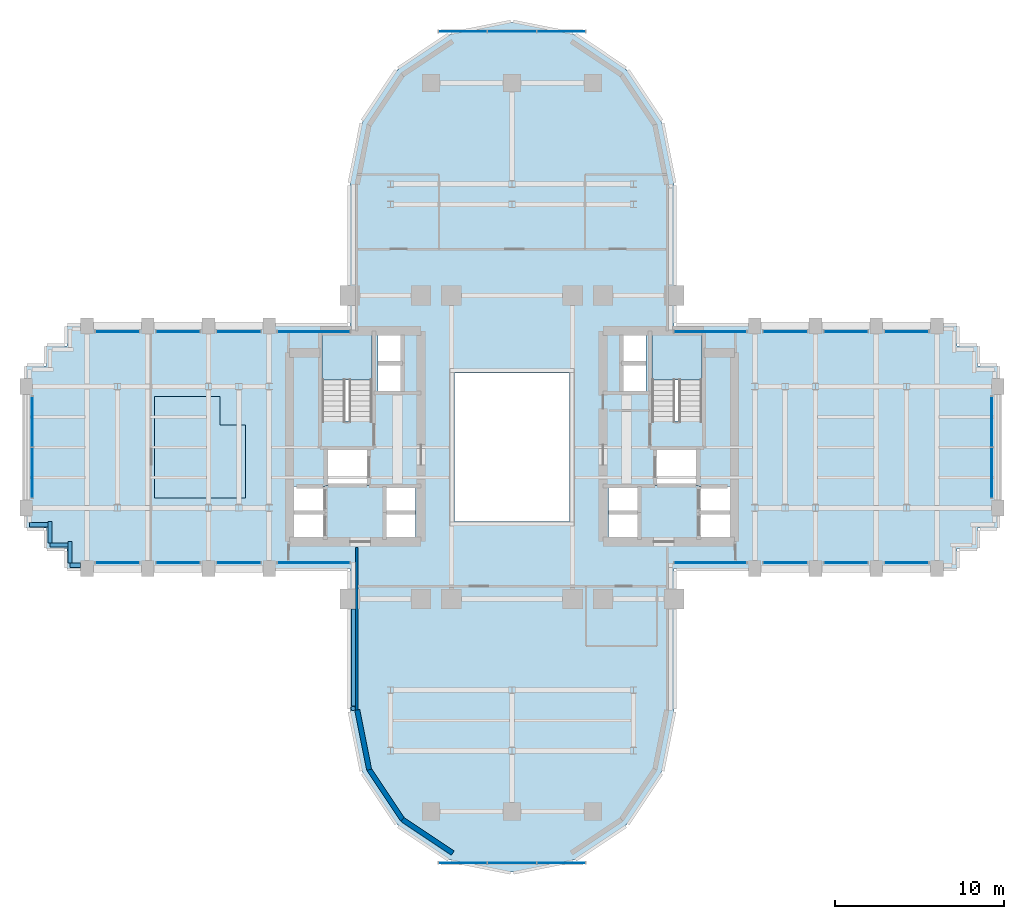
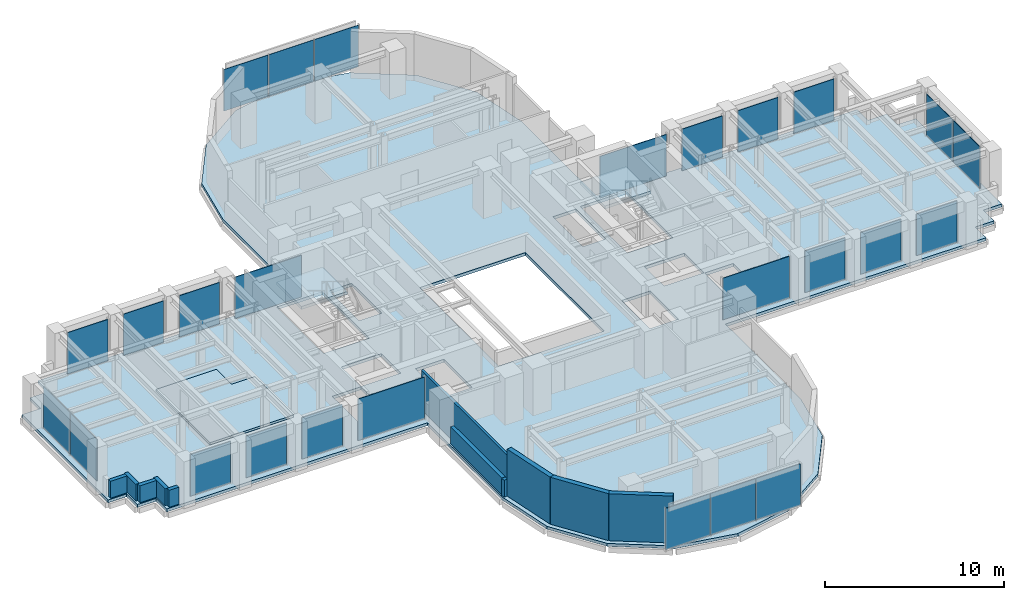
# One storey, part 9 of 16: 26 plates, 11 walls, 4 slabs, 22 elements without a shape of their own.
"""IFC4 building model written with IfcOpenShell, lengths in metres."""

from ifc_helpers import new_model, si_unit, direction, frame, frame_2d, origin, origin_2d, place, context, subcontext, project, spatial, polyline, rectangle, outline, extrude, source, transform, mapped, material, layer, layer_set, type_object, element, aggregate, save


model = new_model("IFC4")

# Units and contexts
model_context = context("Model", 3, precision=1e-05, world=origin(), true_north=direction((0.0, 1.0)))
body_context = subcontext(model_context, "Body", "Model", "MODEL_VIEW")
ifc_project = project(units=[si_unit("LENGTHUNIT", "METRE"), si_unit("AREAUNIT", "SQUARE_METRE"), si_unit("VOLUMEUNIT", "CUBIC_METRE"), si_unit("PLANEANGLEUNIT", "RADIAN"), si_unit("MASSUNIT", "GRAM", prefix="KILO")], contexts=[model_context])

# Site, building, storey
site_placement = place(None, origin())
site = spatial("IfcSite", under=ifc_project, at=site_placement, CompositionType="ELEMENT")
building_placement = place(site_placement, origin())
building = spatial("IfcBuilding", under=site, at=building_placement, Name="Keilestroom Media Tower", CompositionType="ELEMENT")
storey_placement = place(building_placement, frame((0.0, 0.0, 61.199951171875)))
storey = spatial("IfcBuildingStorey", under=building, at=storey_placement, Name="L15", CompositionType="ELEMENT", Elevation=61.199951171875)

# Slabs
ifc_material_1 = material(Name="Concrete C50/60", Category="concrete")
ifc_layer_1 = layer(ifc_material_1, 0.199951171875)
ifc_layer_set_1 = layer_set([ifc_layer_1], Name="Concrete C50/60")
slab_type_1 = type_object("IfcSlabType", Name="Composite-Floor-Slab-200", PredefinedType="FLOOR", material=ifc_layer_set_1)
slab_1_placement = place(storey_placement, frame((0.0, 0.0, -0.199951171875)))
element("IfcSlab", 1, at=slab_1_placement, inside=storey, type_object=slab_type_1, Name="L15 Structural Composite Floor Slab", PredefinedType="FLOOR", context=body_context, shape_type="SweptSolid", body=[
    extrude(outline(polyline([(28.800048828125, -4.800048828125), (28.800048828125, 4.800048828125), (27.60009765625, 4.800048828125), (27.60009765625, 6.0), (26.39990234375, 6.0), (26.39990234375, 7.199951171875), (9.60009765625, 7.199951171875), (9.60009765625, 9.60009765625), (9.60009765625, 15.60009765625), (8.869140625, 19.273681640625), (6.7880859375, 22.38818359375), (3.673828125, 24.46923828125), (0.0, 25.199951171875), (-3.673828125, 24.46923828125), (-6.7880859375, 22.38818359375), (-8.869140625, 19.273681640625), (-9.60009765625, 15.60009765625), (-9.60009765625, 9.60009765625), (-9.60009765625, 7.199951171875), (-26.39990234375, 7.199951171875), (-26.39990234375, 6.0), (-27.60009765625, 6.0), (-27.60009765625, 4.800048828125), (-28.800048828125, 4.800048828125), (-28.800048828125, -4.800048828125), (-27.60009765625, -4.800048828125), (-27.60009765625, -6.0), (-26.39990234375, -6.0), (-26.39990234375, -7.199951171875), (-9.60009765625, -7.199951171875), (-9.60009765625, -9.60009765625), (-9.60009765625, -15.60009765625), (-8.869140625, -19.273681640625), (-6.7880859375, -22.38818359375), (-3.673828125, -24.46923828125), (0.0, -25.199951171875), (3.673828125, -24.46923828125), (6.7880859375, -22.38818359375), (8.869140625, -19.273681640625), (9.60009765625, -15.60009765625), (9.60009765625, -9.60009765625), (9.60009765625, -7.199951171875), (26.39990234375, -7.199951171875), (26.39990234375, -6.0), (27.60009765625, -6.0), (27.60009765625, -4.800048828125), (28.800048828125, -4.800048828125)]), holes=[polyline([(-12.919921875, -5.47998046875), (-12.919921875, -2.320068359375), (-11.080078125, -2.320068359375), (-11.080078125, -5.47998046875), (-12.919921875, -5.47998046875)]), polyline([(-11.260009765625, 1.544921875), (-11.260009765625, 6.760009765625), (-8.300048828125, 6.760009765625), (-8.300048828125, 1.544921875), (-11.260009765625, 1.544921875)]), polyline([(-11.050048828125, -2.280029296875), (-11.050048828125, -0.10009765625), (-8.47998046875, -0.10009765625), (-8.47998046875, -2.280029296875), (-11.050048828125, -2.280029296875)]), polyline([(-7.949951171875, 3.300048828125), (-7.949951171875, 6.64990234375), (-6.47998046875, 6.64990234375), (-6.47998046875, 3.300048828125), (-7.949951171875, 3.300048828125)]), polyline([(-7.56005859375, -5.47998046875), (-7.56005859375, -2.320068359375), (-5.719970703125, -2.320068359375), (-5.719970703125, -5.47998046875), (-7.56005859375, -5.47998046875)]), polyline([(-3.39990234375, -4.39990234375), (-3.39990234375, 4.39990234375), (3.39990234375, 4.39990234375), (3.39990234375, -4.39990234375), (-3.39990234375, -4.39990234375)]), polyline([(5.719970703125, -5.47998046875), (5.719970703125, -2.320068359375), (7.56005859375, -2.320068359375), (7.56005859375, -5.47998046875), (5.719970703125, -5.47998046875)]), polyline([(7.949951171875, 6.64990234375), (7.949951171875, 3.300048828125), (6.47998046875, 3.300048828125), (6.47998046875, 6.64990234375), (7.949951171875, 6.64990234375)]), polyline([(8.300048828125, 6.760009765625), (11.260009765625, 6.760009765625), (11.260009765625, 1.544921875), (8.300048828125, 1.544921875), (8.300048828125, 6.760009765625)]), polyline([(8.47998046875, -2.280029296875), (8.47998046875, -0.10009765625), (11.050048828125, -0.10009765625), (11.050048828125, -2.280029296875), (8.47998046875, -2.280029296875)]), polyline([(12.919921875, -5.47998046875), (11.080078125, -5.47998046875), (11.080078125, -2.320068359375), (12.919921875, -2.320068359375), (12.919921875, -5.47998046875)])]), origin(), (0.0, 0.0, 1.0), 0.199951171875),
])
ifc_material_2 = material(Name="Concrete C45/55", Category="concrete")
ifc_layer_2 = layer(ifc_material_2, 0.14990234375)
ifc_layer_set_2 = layer_set([ifc_layer_2], Name="Concrete C45/55")
slab_type_2 = type_object("IfcSlabType", Name="Floating-Studio-Floor-Slab-150", PredefinedType="FLOOR", material=ifc_layer_set_2)
slab_2_placement = place(storey_placement, origin())
element("IfcSlab", 2, at=slab_2_placement, inside=storey, type_object=slab_type_2, Name="L15 Acoustic Floating Studio Slab ST-INV-Z1", PredefinedType="FLOOR", context=body_context, shape_type="SweptSolid", body=[
    extrude(outline(polyline([(-21.199951171875, -3.0), (-15.800048828125, -3.0), (-15.800048828125, 1.320068359375), (-17.31201171875, 1.320068359375), (-17.31201171875, 3.0), (-21.199951171875, 3.0), (-21.199951171875, -3.0)])), origin(), (0.0, 0.0, 1.0), 0.150146484375),
])

# Stair, slab
stair_type = type_object("IfcStairType", Name="Enclosed-Dog-Leg-Stair-ST-CORE", PredefinedType="HALF_TURN_STAIR", material=ifc_material_2)
stair_1_placement = place(storey_placement, origin())
stair_1 = element("IfcStair", 3, at=stair_1_placement, inside=storey, type_object=stair_type, Name="L15 West Core Escape Stair ST-1", PredefinedType="HALF_TURN_STAIR")
ifc_layer_3 = layer(ifc_material_2, 0.199951171875)
ifc_layer_set_3 = layer_set([ifc_layer_3], Name="Concrete C45/55")
slab_type_3 = type_object("IfcSlabType", Name="Stair-Intermediate-And-Top-Landing-Slab-200", PredefinedType="LANDING", material=ifc_layer_set_3)
slab_3_placement = place(storey_placement, frame((0.0, 0.0, 1.5)))
slab_3 = element("IfcSlab", 4, at=slab_3_placement, type_object=slab_type_3, Name="ST-1 landing 1", PredefinedType="LANDING", context=body_context, shape_type="SweptSolid", body=[
    extrude(outline(polyline([(-8.300048828125, 3.99609375), (-8.300048828125, 6.760009765625), (-11.260009765625, 6.760009765625), (-11.260009765625, 3.99609375), (-8.300048828125, 3.99609375)])), origin(), (0.0, 0.0, 1.0), 0.199951171875),
])
aggregate(stair_1, [slab_3])

stair_2_placement = place(storey_placement, origin())
stair_2 = element("IfcStair", 5, at=stair_2_placement, inside=storey, type_object=stair_type, Name="L15 East Core Escape Stair ST-2", PredefinedType="HALF_TURN_STAIR")
slab_4_placement = place(storey_placement, frame((0.0, 0.0, 1.5)))
slab_4 = element("IfcSlab", 6, at=slab_4_placement, type_object=slab_type_3, Name="ST-2 landing 1", PredefinedType="LANDING", context=body_context, shape_type="SweptSolid", body=[
    extrude(outline(polyline([(11.260009765625, 3.99609375), (11.260009765625, 6.760009765625), (8.300048828125, 6.760009765625), (8.300048828125, 3.99609375), (11.260009765625, 3.99609375)])), origin(), (0.0, 0.0, 1.0), 0.199951171875),
])
aggregate(stair_2, [slab_4])

# Curtain wall, plates
ifc_material_3 = material(Name="Anodised Aluminium Alloy", Category="aluminium")
curtain_wall_type_1 = type_object("IfcCurtainWallType", Name="Unitised-Curtain-Wall-CW-1", PredefinedType="NOTDEFINED", material=ifc_material_3)
curtain_wall_1_placement = place(storey_placement, origin())
curtain_wall_1 = element("IfcCurtainWall", 7, at=curtain_wall_1_placement, inside=storey, type_object=curtain_wall_type_1, Name="L15 Curtain Wall CW-1 CW-L15-W-1", PredefinedType="NOTDEFINED")
ifc_material_4 = material(Name="Double Glazed Low-E Unit", Category="glass")
ifc_layer_4 = layer(ifc_material_4, 0.0439453125)
ifc_layer_set_4 = layer_set([ifc_layer_4], Name="Double Glazed Low-E Unit")
plate_type_1 = type_object("IfcPlateType", Name="Insulated-Curtain-Wall-Glazing-Panel-CW-1", PredefinedType="CURTAIN_PANEL", material=ifc_layer_set_4)
shared_shape_1 = source(origin(), body_context, "Body", "SweptSolid", [
    extrude(rectangle(XDim=2.968017578125, YDim=0.0439453125, at=origin_2d()), origin(), (0.0, 0.0, 1.0), 2.833984375),
])
plate_1_placement = place(storey_placement, frame((-28.449951171875, -1.514892578125, 0.072998046875), z_axis=(0.0, 0.0, 1.0), x_axis=(0.0, 1.0, 0.0)))
plate_1 = element("IfcPlate", 8, at=plate_1_placement, type_object=plate_type_1, Name="CW-1 Unitised Glazing 00", PredefinedType="CURTAIN_PANEL", context=body_context, shape_type="MappedRepresentation", body=[
    mapped(shared_shape_1, transform((0.0, 0.0, 0.0), x_axis=(1.0, 0.0, 0.0), y_axis=(0.0, 1.0, 0.0), z_axis=(0.0, 0.0, 1.0), scale=1.0)),
])
plate_2_placement = place(storey_placement, frame((-28.449951171875, 1.514892578125, 0.072998046875), z_axis=(0.0, 0.0, 1.0), x_axis=(0.0, 1.0, 0.0)))
plate_2 = element("IfcPlate", 9, at=plate_2_placement, type_object=plate_type_1, Name="CW-1 Unitised Glazing 01", PredefinedType="CURTAIN_PANEL", context=body_context, shape_type="MappedRepresentation", body=[
    mapped(shared_shape_1, transform((0.0, 0.0, 0.0), x_axis=(1.0, 0.0, 0.0), y_axis=(0.0, 1.0, 0.0), z_axis=(0.0, 0.0, 1.0), scale=1.0)),
])
aggregate(curtain_wall_1, [plate_1, plate_2])

curtain_wall_2_placement = place(storey_placement, origin())
curtain_wall_2 = element("IfcCurtainWall", 10, at=curtain_wall_2_placement, inside=storey, type_object=curtain_wall_type_1, Name="L15 Curtain Wall CW-1 CW-L15-E-1", PredefinedType="NOTDEFINED")
plate_3_placement = place(storey_placement, frame((28.449951171875, -1.514892578125, 0.072998046875), z_axis=(0.0, 0.0, 1.0), x_axis=(0.0, 1.0, 0.0)))
plate_3 = element("IfcPlate", 11, at=plate_3_placement, type_object=plate_type_1, Name="CW-1 Unitised Glazing 00", PredefinedType="CURTAIN_PANEL", context=body_context, shape_type="MappedRepresentation", body=[
    mapped(shared_shape_1, transform((0.0, 0.0, 0.0), x_axis=(1.0, 0.0, 0.0), y_axis=(0.0, 1.0, 0.0), z_axis=(0.0, 0.0, 1.0), scale=1.0)),
])
plate_4_placement = place(storey_placement, frame((28.449951171875, 1.514892578125, 0.072998046875), z_axis=(0.0, 0.0, 1.0), x_axis=(0.0, 1.0, 0.0)))
plate_4 = element("IfcPlate", 12, at=plate_4_placement, type_object=plate_type_1, Name="CW-1 Unitised Glazing 01", PredefinedType="CURTAIN_PANEL", context=body_context, shape_type="MappedRepresentation", body=[
    mapped(shared_shape_1, transform((0.0, 0.0, 0.0), x_axis=(1.0, 0.0, 0.0), y_axis=(0.0, 1.0, 0.0), z_axis=(0.0, 0.0, 1.0), scale=1.0)),
])
aggregate(curtain_wall_2, [plate_3, plate_4])

# Curtain wall, plate
curtain_wall_3_placement = place(storey_placement, origin())
curtain_wall_3 = element("IfcCurtainWall", 13, at=curtain_wall_3_placement, inside=storey, type_object=curtain_wall_type_1, Name="L15 Curtain Wall CW-1 CW-L15-NW-1", PredefinedType="NOTDEFINED")
shared_shape_2 = source(origin(), body_context, "Body", "SweptSolid", [
    extrude(rectangle(XDim=2.597900390625, YDim=0.0439453125, at=origin_2d()), origin(), (0.0, 0.0, 1.0), 2.833984375),
])
plate_5_placement = place(storey_placement, frame((-23.39990234375, 6.85009765625, 0.072998046875), z_axis=(0.0, 0.0, 1.0), x_axis=(1.0, 0.0, 0.0)))
plate_5 = element("IfcPlate", 14, at=plate_5_placement, type_object=plate_type_1, Name="CW-1 Unitised Glazing 00", PredefinedType="CURTAIN_PANEL", context=body_context, shape_type="MappedRepresentation", body=[
    mapped(shared_shape_2, transform((0.0, 0.0, 0.0), x_axis=(1.0, 0.0, 0.0), y_axis=(0.0, 1.0, 0.0), z_axis=(0.0, 0.0, 1.0), scale=1.0)),
])
aggregate(curtain_wall_3, [plate_5])

curtain_wall_4_placement = place(storey_placement, origin())
curtain_wall_4 = element("IfcCurtainWall", 15, at=curtain_wall_4_placement, inside=storey, type_object=curtain_wall_type_1, Name="L15 Curtain Wall CW-1 CW-L15-NW-2", PredefinedType="NOTDEFINED")
plate_6_placement = place(storey_placement, frame((-19.800048828125, 6.85009765625, 0.072998046875), z_axis=(0.0, 0.0, 1.0), x_axis=(1.0, 0.0, 0.0)))
plate_6 = element("IfcPlate", 16, at=plate_6_placement, type_object=plate_type_1, Name="CW-1 Unitised Glazing 00", PredefinedType="CURTAIN_PANEL", context=body_context, shape_type="MappedRepresentation", body=[
    mapped(shared_shape_2, transform((0.0, 0.0, 0.0), x_axis=(1.0, 0.0, 0.0), y_axis=(0.0, 1.0, 0.0), z_axis=(0.0, 0.0, 1.0), scale=1.0)),
])
aggregate(curtain_wall_4, [plate_6])

curtain_wall_5_placement = place(storey_placement, origin())
curtain_wall_5 = element("IfcCurtainWall", 17, at=curtain_wall_5_placement, inside=storey, type_object=curtain_wall_type_1, Name="L15 Curtain Wall CW-1 CW-L15-NW-3", PredefinedType="NOTDEFINED")
plate_7_placement = place(storey_placement, frame((-16.199951171875, 6.85009765625, 0.072998046875), z_axis=(0.0, 0.0, 1.0), x_axis=(1.0, 0.0, 0.0)))
plate_7 = element("IfcPlate", 18, at=plate_7_placement, type_object=plate_type_1, Name="CW-1 Unitised Glazing 00", PredefinedType="CURTAIN_PANEL", context=body_context, shape_type="MappedRepresentation", body=[
    mapped(shared_shape_2, transform((0.0, 0.0, 0.0), x_axis=(1.0, 0.0, 0.0), y_axis=(0.0, 1.0, 0.0), z_axis=(0.0, 0.0, 1.0), scale=1.0)),
])
aggregate(curtain_wall_5, [plate_7])

curtain_wall_6_placement = place(storey_placement, origin())
curtain_wall_6 = element("IfcCurtainWall", 19, at=curtain_wall_6_placement, inside=storey, type_object=curtain_wall_type_1, Name="L15 Curtain Wall CW-1 CW-L15-NE-2", PredefinedType="NOTDEFINED")
plate_8_placement = place(storey_placement, frame((16.199951171875, 6.85009765625, 0.072998046875), z_axis=(0.0, 0.0, 1.0), x_axis=(1.0, 0.0, 0.0)))
plate_8 = element("IfcPlate", 20, at=plate_8_placement, type_object=plate_type_1, Name="CW-1 Unitised Glazing 00", PredefinedType="CURTAIN_PANEL", context=body_context, shape_type="MappedRepresentation", body=[
    mapped(shared_shape_2, transform((0.0, 0.0, 0.0), x_axis=(1.0, 0.0, 0.0), y_axis=(0.0, 1.0, 0.0), z_axis=(0.0, 0.0, 1.0), scale=1.0)),
])
aggregate(curtain_wall_6, [plate_8])

curtain_wall_7_placement = place(storey_placement, origin())
curtain_wall_7 = element("IfcCurtainWall", 21, at=curtain_wall_7_placement, inside=storey, type_object=curtain_wall_type_1, Name="L15 Curtain Wall CW-1 CW-L15-NE-3", PredefinedType="NOTDEFINED")
plate_9_placement = place(storey_placement, frame((19.800048828125, 6.85009765625, 0.072998046875), z_axis=(0.0, 0.0, 1.0), x_axis=(1.0, 0.0, 0.0)))
plate_9 = element("IfcPlate", 22, at=plate_9_placement, type_object=plate_type_1, Name="CW-1 Unitised Glazing 00", PredefinedType="CURTAIN_PANEL", context=body_context, shape_type="MappedRepresentation", body=[
    mapped(shared_shape_2, transform((0.0, 0.0, 0.0), x_axis=(1.0, 0.0, 0.0), y_axis=(0.0, 1.0, 0.0), z_axis=(0.0, 0.0, 1.0), scale=1.0)),
])
aggregate(curtain_wall_7, [plate_9])

curtain_wall_8_placement = place(storey_placement, origin())
curtain_wall_8 = element("IfcCurtainWall", 23, at=curtain_wall_8_placement, inside=storey, type_object=curtain_wall_type_1, Name="L15 Curtain Wall CW-1 CW-L15-NE-4", PredefinedType="NOTDEFINED")
plate_10_placement = place(storey_placement, frame((23.39990234375, 6.85009765625, 0.072998046875), z_axis=(0.0, 0.0, 1.0), x_axis=(1.0, 0.0, 0.0)))
plate_10 = element("IfcPlate", 24, at=plate_10_placement, type_object=plate_type_1, Name="CW-1 Unitised Glazing 00", PredefinedType="CURTAIN_PANEL", context=body_context, shape_type="MappedRepresentation", body=[
    mapped(shared_shape_2, transform((0.0, 0.0, 0.0), x_axis=(1.0, 0.0, 0.0), y_axis=(0.0, 1.0, 0.0), z_axis=(0.0, 0.0, 1.0), scale=1.0)),
])
aggregate(curtain_wall_8, [plate_10])

curtain_wall_9_placement = place(storey_placement, origin())
curtain_wall_9 = element("IfcCurtainWall", 25, at=curtain_wall_9_placement, inside=storey, type_object=curtain_wall_type_1, Name="L15 Curtain Wall CW-1 CW-L15-SW-1", PredefinedType="NOTDEFINED")
plate_11_placement = place(storey_placement, frame((-23.39990234375, -6.85009765625, 0.072998046875), z_axis=(0.0, 0.0, 1.0), x_axis=(1.0, 0.0, 0.0)))
plate_11 = element("IfcPlate", 26, at=plate_11_placement, type_object=plate_type_1, Name="CW-1 Unitised Glazing 00", PredefinedType="CURTAIN_PANEL", context=body_context, shape_type="MappedRepresentation", body=[
    mapped(shared_shape_2, transform((0.0, 0.0, 0.0), x_axis=(1.0, 0.0, 0.0), y_axis=(0.0, 1.0, 0.0), z_axis=(0.0, 0.0, 1.0), scale=1.0)),
])
aggregate(curtain_wall_9, [plate_11])

curtain_wall_10_placement = place(storey_placement, origin())
curtain_wall_10 = element("IfcCurtainWall", 27, at=curtain_wall_10_placement, inside=storey, type_object=curtain_wall_type_1, Name="L15 Curtain Wall CW-1 CW-L15-SW-2", PredefinedType="NOTDEFINED")
plate_12_placement = place(storey_placement, frame((-19.800048828125, -6.85009765625, 0.072998046875), z_axis=(0.0, 0.0, 1.0), x_axis=(1.0, 0.0, 0.0)))
plate_12 = element("IfcPlate", 28, at=plate_12_placement, type_object=plate_type_1, Name="CW-1 Unitised Glazing 00", PredefinedType="CURTAIN_PANEL", context=body_context, shape_type="MappedRepresentation", body=[
    mapped(shared_shape_2, transform((0.0, 0.0, 0.0), x_axis=(1.0, 0.0, 0.0), y_axis=(0.0, 1.0, 0.0), z_axis=(0.0, 0.0, 1.0), scale=1.0)),
])
aggregate(curtain_wall_10, [plate_12])

curtain_wall_11_placement = place(storey_placement, origin())
curtain_wall_11 = element("IfcCurtainWall", 29, at=curtain_wall_11_placement, inside=storey, type_object=curtain_wall_type_1, Name="L15 Curtain Wall CW-1 CW-L15-SW-3", PredefinedType="NOTDEFINED")
plate_13_placement = place(storey_placement, frame((-16.199951171875, -6.85009765625, 0.072998046875), z_axis=(0.0, 0.0, 1.0), x_axis=(1.0, 0.0, 0.0)))
plate_13 = element("IfcPlate", 30, at=plate_13_placement, type_object=plate_type_1, Name="CW-1 Unitised Glazing 00", PredefinedType="CURTAIN_PANEL", context=body_context, shape_type="MappedRepresentation", body=[
    mapped(shared_shape_2, transform((0.0, 0.0, 0.0), x_axis=(1.0, 0.0, 0.0), y_axis=(0.0, 1.0, 0.0), z_axis=(0.0, 0.0, 1.0), scale=1.0)),
])
aggregate(curtain_wall_11, [plate_13])

curtain_wall_12_placement = place(storey_placement, origin())
curtain_wall_12 = element("IfcCurtainWall", 31, at=curtain_wall_12_placement, inside=storey, type_object=curtain_wall_type_1, Name="L15 Curtain Wall CW-1 CW-L15-SE-2", PredefinedType="NOTDEFINED")
plate_14_placement = place(storey_placement, frame((16.199951171875, -6.85009765625, 0.072998046875), z_axis=(0.0, 0.0, 1.0), x_axis=(1.0, 0.0, 0.0)))
plate_14 = element("IfcPlate", 32, at=plate_14_placement, type_object=plate_type_1, Name="CW-1 Unitised Glazing 00", PredefinedType="CURTAIN_PANEL", context=body_context, shape_type="MappedRepresentation", body=[
    mapped(shared_shape_2, transform((0.0, 0.0, 0.0), x_axis=(1.0, 0.0, 0.0), y_axis=(0.0, 1.0, 0.0), z_axis=(0.0, 0.0, 1.0), scale=1.0)),
])
aggregate(curtain_wall_12, [plate_14])

curtain_wall_13_placement = place(storey_placement, origin())
curtain_wall_13 = element("IfcCurtainWall", 33, at=curtain_wall_13_placement, inside=storey, type_object=curtain_wall_type_1, Name="L15 Curtain Wall CW-1 CW-L15-SE-3", PredefinedType="NOTDEFINED")
plate_15_placement = place(storey_placement, frame((19.800048828125, -6.85009765625, 0.072998046875), z_axis=(0.0, 0.0, 1.0), x_axis=(1.0, 0.0, 0.0)))
plate_15 = element("IfcPlate", 34, at=plate_15_placement, type_object=plate_type_1, Name="CW-1 Unitised Glazing 00", PredefinedType="CURTAIN_PANEL", context=body_context, shape_type="MappedRepresentation", body=[
    mapped(shared_shape_2, transform((0.0, 0.0, 0.0), x_axis=(1.0, 0.0, 0.0), y_axis=(0.0, 1.0, 0.0), z_axis=(0.0, 0.0, 1.0), scale=1.0)),
])
aggregate(curtain_wall_13, [plate_15])

curtain_wall_14_placement = place(storey_placement, origin())
curtain_wall_14 = element("IfcCurtainWall", 35, at=curtain_wall_14_placement, inside=storey, type_object=curtain_wall_type_1, Name="L15 Curtain Wall CW-1 CW-L15-SE-4", PredefinedType="NOTDEFINED")
plate_16_placement = place(storey_placement, frame((23.39990234375, -6.85009765625, 0.072998046875), z_axis=(0.0, 0.0, 1.0), x_axis=(1.0, 0.0, 0.0)))
plate_16 = element("IfcPlate", 36, at=plate_16_placement, type_object=plate_type_1, Name="CW-1 Unitised Glazing 00", PredefinedType="CURTAIN_PANEL", context=body_context, shape_type="MappedRepresentation", body=[
    mapped(shared_shape_2, transform((0.0, 0.0, 0.0), x_axis=(1.0, 0.0, 0.0), y_axis=(0.0, 1.0, 0.0), z_axis=(0.0, 0.0, 1.0), scale=1.0)),
])
aggregate(curtain_wall_14, [plate_16])

curtain_wall_15_placement = place(storey_placement, origin())
curtain_wall_15 = element("IfcCurtainWall", 37, at=curtain_wall_15_placement, inside=storey, type_object=curtain_wall_type_1, Name="L15 Curtain Wall CW-1 CW-L15-NW-4", PredefinedType="NOTDEFINED")
shared_shape_3 = source(origin(), body_context, "Body", "SweptSolid", [
    extrude(rectangle(XDim=4.282958984375, YDim=0.0439453125, at=origin_2d()), origin(), (0.0, 0.0, 1.0), 2.833984375),
])
plate_17_placement = place(storey_placement, frame((-11.757568359375, 6.85009765625, 0.072998046875), z_axis=(0.0, 0.0, 1.0), x_axis=(1.0, 0.0, 0.0)))
plate_17 = element("IfcPlate", 38, at=plate_17_placement, type_object=plate_type_1, Name="CW-1 Unitised Glazing 00", PredefinedType="CURTAIN_PANEL", context=body_context, shape_type="MappedRepresentation", body=[
    mapped(shared_shape_3, transform((0.0, 0.0, 0.0), x_axis=(1.0, 0.0, 0.0), y_axis=(0.0, 1.0, 0.0), z_axis=(0.0, 0.0, 1.0), scale=1.0)),
])
aggregate(curtain_wall_15, [plate_17])

curtain_wall_16_placement = place(storey_placement, origin())
curtain_wall_16 = element("IfcCurtainWall", 39, at=curtain_wall_16_placement, inside=storey, type_object=curtain_wall_type_1, Name="L15 Curtain Wall CW-1 CW-L15-NE-1", PredefinedType="NOTDEFINED")
plate_18_placement = place(storey_placement, frame((11.757568359375, 6.85009765625, 0.072998046875), z_axis=(0.0, 0.0, 1.0), x_axis=(1.0, 0.0, 0.0)))
plate_18 = element("IfcPlate", 40, at=plate_18_placement, type_object=plate_type_1, Name="CW-1 Unitised Glazing 00", PredefinedType="CURTAIN_PANEL", context=body_context, shape_type="MappedRepresentation", body=[
    mapped(shared_shape_3, transform((0.0, 0.0, 0.0), x_axis=(1.0, 0.0, 0.0), y_axis=(0.0, 1.0, 0.0), z_axis=(0.0, 0.0, 1.0), scale=1.0)),
])
aggregate(curtain_wall_16, [plate_18])

curtain_wall_17_placement = place(storey_placement, origin())
curtain_wall_17 = element("IfcCurtainWall", 41, at=curtain_wall_17_placement, inside=storey, type_object=curtain_wall_type_1, Name="L15 Curtain Wall CW-1 CW-L15-SW-4", PredefinedType="NOTDEFINED")
plate_19_placement = place(storey_placement, frame((-11.757568359375, -6.85009765625, 0.072998046875), z_axis=(0.0, 0.0, 1.0), x_axis=(1.0, 0.0, 0.0)))
plate_19 = element("IfcPlate", 42, at=plate_19_placement, type_object=plate_type_1, Name="CW-1 Unitised Glazing 00", PredefinedType="CURTAIN_PANEL", context=body_context, shape_type="MappedRepresentation", body=[
    mapped(shared_shape_3, transform((0.0, 0.0, 0.0), x_axis=(1.0, 0.0, 0.0), y_axis=(0.0, 1.0, 0.0), z_axis=(0.0, 0.0, 1.0), scale=1.0)),
])
aggregate(curtain_wall_17, [plate_19])

curtain_wall_18_placement = place(storey_placement, origin())
curtain_wall_18 = element("IfcCurtainWall", 43, at=curtain_wall_18_placement, inside=storey, type_object=curtain_wall_type_1, Name="L15 Curtain Wall CW-1 CW-L15-SE-1", PredefinedType="NOTDEFINED")
plate_20_placement = place(storey_placement, frame((11.757568359375, -6.85009765625, 0.072998046875), z_axis=(0.0, 0.0, 1.0), x_axis=(1.0, 0.0, 0.0)))
plate_20 = element("IfcPlate", 44, at=plate_20_placement, type_object=plate_type_1, Name="CW-1 Unitised Glazing 00", PredefinedType="CURTAIN_PANEL", context=body_context, shape_type="MappedRepresentation", body=[
    mapped(shared_shape_3, transform((0.0, 0.0, 0.0), x_axis=(1.0, 0.0, 0.0), y_axis=(0.0, 1.0, 0.0), z_axis=(0.0, 0.0, 1.0), scale=1.0)),
])
aggregate(curtain_wall_18, [plate_20])

# Curtain wall, plates
curtain_wall_type_2 = type_object("IfcCurtainWallType", Name="Unitised-Curtain-Wall-CW-6", PredefinedType="NOTDEFINED", material=ifc_material_3)
curtain_wall_19_placement = place(storey_placement, origin())
curtain_wall_19 = element("IfcCurtainWall", 45, at=curtain_wall_19_placement, inside=storey, type_object=curtain_wall_type_2, Name="L15 Curtain Wall CW-6 CW-L15-LN-1", PredefinedType="NOTDEFINED")
ifc_material_5 = material(Name="Curved-Facet Triple Glazed Unit", Category="glass")
ifc_layer_5 = layer(ifc_material_5, 0.033935546875)
ifc_layer_set_5 = layer_set([ifc_layer_5], Name="Curved-Facet Triple Glazed Unit")
plate_type_2 = type_object("IfcPlateType", Name="Insulated-Curtain-Wall-Glazing-Panel-CW-6", PredefinedType="CURTAIN_PANEL", material=ifc_layer_set_5)
shared_shape_4 = source(origin(), body_context, "Body", "SweptSolid", [
    extrude(rectangle(XDim=2.84375, YDim=0.033935546875, at=origin_2d()), origin(), (0.0, 0.0, 1.0), 2.833984375),
])
plate_21_placement = place(storey_placement, frame((-2.9169921875, 24.64990234375, 0.072998046875), z_axis=(0.0, 0.0, 1.0), x_axis=(1.0, 0.0, 0.0)))
plate_21 = element("IfcPlate", 46, at=plate_21_placement, type_object=plate_type_2, Name="CW-6 Unitised Glazing 00", PredefinedType="CURTAIN_PANEL", context=body_context, shape_type="MappedRepresentation", body=[
    mapped(shared_shape_4, transform((0.0, 0.0, 0.0), x_axis=(1.0, 0.0, 0.0), y_axis=(0.0, 1.0, 0.0), z_axis=(0.0, 0.0, 1.0), scale=1.0)),
])
plate_22_placement = place(storey_placement, frame((2.9169921875, 24.64990234375, 0.072998046875), z_axis=(0.0, 0.0, 1.0), x_axis=(1.0, 0.0, 0.0)))
plate_22 = element("IfcPlate", 47, at=plate_22_placement, type_object=plate_type_2, Name="CW-6 Unitised Glazing 02", PredefinedType="CURTAIN_PANEL", context=body_context, shape_type="MappedRepresentation", body=[
    mapped(shared_shape_4, transform((0.0, 0.0, 0.0), x_axis=(1.0, 0.0, 0.0), y_axis=(0.0, 1.0, 0.0), z_axis=(0.0, 0.0, 1.0), scale=1.0)),
])

curtain_wall_20_placement = place(storey_placement, origin())
curtain_wall_20 = element("IfcCurtainWall", 48, at=curtain_wall_20_placement, inside=storey, type_object=curtain_wall_type_2, Name="L15 Curtain Wall CW-6 CW-L15-LS-1", PredefinedType="NOTDEFINED")
plate_23_placement = place(storey_placement, frame((-2.9169921875, -24.64990234375, 0.072998046875), z_axis=(0.0, 0.0, 1.0), x_axis=(1.0, 0.0, 0.0)))
plate_23 = element("IfcPlate", 49, at=plate_23_placement, type_object=plate_type_2, Name="CW-6 Unitised Glazing 00", PredefinedType="CURTAIN_PANEL", context=body_context, shape_type="MappedRepresentation", body=[
    mapped(shared_shape_4, transform((0.0, 0.0, 0.0), x_axis=(1.0, 0.0, 0.0), y_axis=(0.0, 1.0, 0.0), z_axis=(0.0, 0.0, 1.0), scale=1.0)),
])
plate_24_placement = place(storey_placement, frame((2.9169921875, -24.64990234375, 0.072998046875), z_axis=(0.0, 0.0, 1.0), x_axis=(1.0, 0.0, 0.0)))
plate_24 = element("IfcPlate", 50, at=plate_24_placement, type_object=plate_type_2, Name="CW-6 Unitised Glazing 02", PredefinedType="CURTAIN_PANEL", context=body_context, shape_type="MappedRepresentation", body=[
    mapped(shared_shape_4, transform((0.0, 0.0, 0.0), x_axis=(1.0, 0.0, 0.0), y_axis=(0.0, 1.0, 0.0), z_axis=(0.0, 0.0, 1.0), scale=1.0)),
])

# Plate
shared_shape_5 = source(origin(), body_context, "Body", "SweptSolid", [
    extrude(rectangle(XDim=2.876220703125, YDim=0.033935546875, at=origin_2d()), origin(), (0.0, 0.0, 1.0), 2.833984375),
])
plate_25_placement = place(storey_placement, frame((0.0, 24.64990234375, 0.072998046875), z_axis=(0.0, 0.0, 1.0), x_axis=(1.0, 0.0, 0.0)))
plate_25 = element("IfcPlate", 51, at=plate_25_placement, type_object=plate_type_2, Name="CW-6 Unitised Glazing 01", PredefinedType="CURTAIN_PANEL", context=body_context, shape_type="MappedRepresentation", body=[
    mapped(shared_shape_5, transform((0.0, 0.0, 0.0), x_axis=(1.0, 0.0, 0.0), y_axis=(0.0, 1.0, 0.0), z_axis=(0.0, 0.0, 1.0), scale=1.0)),
])

aggregate(curtain_wall_19, [plate_21, plate_25, plate_22])

plate_26_placement = place(storey_placement, frame((0.0, -24.64990234375, 0.072998046875), z_axis=(0.0, 0.0, 1.0), x_axis=(1.0, 0.0, 0.0)))
plate_26 = element("IfcPlate", 52, at=plate_26_placement, type_object=plate_type_2, Name="CW-6 Unitised Glazing 01", PredefinedType="CURTAIN_PANEL", context=body_context, shape_type="MappedRepresentation", body=[
    mapped(shared_shape_5, transform((0.0, 0.0, 0.0), x_axis=(1.0, 0.0, 0.0), y_axis=(0.0, 1.0, 0.0), z_axis=(0.0, 0.0, 1.0), scale=1.0)),
])

aggregate(curtain_wall_20, [plate_23, plate_26, plate_24])

# Walls
ifc_material_6 = material(Name="Precast concrete C40/50", Category="concrete")
ifc_layer_6 = layer(ifc_material_6, 0.300048828125)
ifc_layer_set_6 = layer_set([ifc_layer_6], Name="Precast concrete C40/50")
wall_type_1 = type_object("IfcWallType", Name="Exterior-Masonry-Spandrel-Wall-300", PredefinedType="SOLIDWALL", material=ifc_layer_set_6)
for number, where, z_axis, x_axis, name in (
    (53, (-9.1748046875, -15.585205078125, 0.0), (0.0, 0.0, 1.0), (0.195114232679, -0.980780523974, 0.0), "L15 Lobe Facet Precast Frame Wall 07"),
    (54, (-8.48193359375, -19.097412109375, 0.0), (0.0, 0.0, 1.0), (0.555574187116, -0.831466970246, 0.0), "L15 Lobe Facet Precast Frame Wall 08"),
):
    element("IfcWall", number, at=place(storey_placement, frame(where, z_axis=z_axis, x_axis=x_axis)), inside=storey, type_object=wall_type_1, Name=name, PredefinedType="SOLIDWALL", context=body_context, shape_type="SweptSolid", body=[
        extrude(rectangle(XDim=3.608642578125, YDim=0.300048828125, at=frame_2d((1.80419921875, 0.0))), origin(), (0.0, 0.0, 1.0), 3.199951171875),
    ])
wall_1_placement = place(storey_placement, frame((-6.497802734375, -22.0771484375, 0.0), z_axis=(0.0, 0.0, 1.0), x_axis=(0.8314749531, -0.555562239868, 0.0)))
element("IfcWall", 55, at=wall_1_placement, inside=storey, type_object=wall_type_1, Name="L15 Lobe Facet Precast Frame Wall 09", PredefinedType="SOLIDWALL", context=body_context, shape_type="SweptSolid", body=[
    extrude(rectangle(XDim=3.59326171875, YDim=0.300048828125, at=frame_2d((1.796630859375, 0.0))), origin(), (0.0, 0.0, 1.0), 3.199951171875),
])
ifc_material_7 = material(Name="Gypsum Plasterboard & Steel Stud", Category="steel")
ifc_layer_7 = layer(ifc_material_7, 0.14990234375)
ifc_layer_set_7 = layer_set([ifc_layer_7], Name="Gypsum Plasterboard & Steel Stud")
wall_type_2 = type_object("IfcWallType", Name="Interior-Partition-Wall-150", PredefinedType="PARTITIONING", material=ifc_layer_set_7)
wall_2_placement = place(storey_placement, frame((-9.199951171875, -15.679931640625, 0.0), z_axis=(0.0, 0.0, 1.0), x_axis=(0.0, 1.0, 0.0)))
element("IfcWall", 56, at=wall_2_placement, inside=storey, type_object=wall_type_2, Name="L15 Interior Wall WP-L15-SL-CHKW", PredefinedType="PARTITIONING", context=body_context, shape_type="SweptSolid", body=[
    extrude(rectangle(XDim=9.739990234375, YDim=0.14990234375, at=frame_2d((4.8701171875, 0.0))), origin(), (0.0, 0.0, 1.0), 2.7099609375),
])
ifc_layer_8 = layer(ifc_material_6, 0.239990234375)
ifc_layer_set_8 = layer_set([ifc_layer_8], Name="Precast concrete C40/50")
wall_type_3 = type_object("IfcWallType", Name="Roof-And-Terrace-Parapet-Wall-240", PredefinedType="PARAPET", material=ifc_layer_set_8)
wall_3_placement = place(storey_placement, frame((-9.395263671875, -15.604248046875, 0.0), z_axis=(0.0, 0.0, 1.0), x_axis=(-0.194652052864, 0.980872355771, 0.0)))
element("IfcWall", 57, at=wall_3_placement, inside=storey, type_object=wall_type_3, Name="L15 Perimeter Edge Parapet Wall 09", PredefinedType="PARAPET", context=body_context, shape_type="SweptSolid", body=[
    extrude(rectangle(XDim=0.224609375, YDim=0.239990234375, at=frame_2d((0.1123046875, 0.0))), origin(), (0.0, 0.0, 1.0), 1.150146484375),
])
wall_4_placement = place(storey_placement, frame((-9.39990234375, -15.357666015625, 0.0), z_axis=(0.0, 0.0, 1.0), x_axis=(0.0, 1.0, 0.0)))
element("IfcWall", 58, at=wall_4_placement, inside=storey, type_object=wall_type_3, Name="L15 Perimeter Edge Parapet Wall 10", PredefinedType="PARAPET", context=body_context, shape_type="SweptSolid", body=[
    extrude(rectangle(XDim=5.754638671875, YDim=0.239990234375, at=frame_2d((2.87744140625, 0.0))), origin(), (0.0, 0.0, 1.0), 1.150146484375),
])
wall_5_placement = place(storey_placement, frame((-25.577880859375, -7.0, 0.0), z_axis=(0.0, 0.0, 1.0), x_axis=(-1.0, 0.0, 0.0)))
element("IfcWall", 59, at=wall_5_placement, inside=storey, type_object=wall_type_3, Name="L15 Perimeter Edge Parapet Wall 12", PredefinedType="PARAPET", context=body_context, shape_type="SweptSolid", body=[
    extrude(rectangle(XDim=0.6220703125, YDim=0.239990234375, at=frame_2d((0.31103515625, 0.0))), origin(), (0.0, 0.0, 1.0), 1.150146484375),
])
wall_6_placement = place(storey_placement, frame((-26.199951171875, -6.876953125, 0.0), z_axis=(0.0, 0.0, 1.0), x_axis=(0.0, 1.0, 0.0)))
element("IfcWall", 60, at=wall_6_placement, inside=storey, type_object=wall_type_3, Name="L15 Perimeter Edge Parapet Wall 13", PredefinedType="PARAPET", context=body_context, shape_type="SweptSolid", body=[
    extrude(rectangle(XDim=1.27685546875, YDim=0.239990234375, at=frame_2d((0.638427734375, 0.0))), origin(), (0.0, 0.0, 1.0), 1.150146484375),
])
wall_7_placement = place(storey_placement, frame((-26.322998046875, -5.800048828125, 0.0), z_axis=(0.0, 0.0, 1.0), x_axis=(-1.0, 0.0, 0.0)))
element("IfcWall", 61, at=wall_7_placement, inside=storey, type_object=wall_type_3, Name="L15 Perimeter Edge Parapet Wall 14", PredefinedType="PARAPET", context=body_context, shape_type="SweptSolid", body=[
    extrude(rectangle(XDim=1.076904296875, YDim=0.239990234375, at=frame_2d((0.53857421875, 0.0))), origin(), (0.0, 0.0, 1.0), 1.150146484375),
])
wall_8_placement = place(storey_placement, frame((-27.39990234375, -5.677001953125, 0.0), z_axis=(0.0, 0.0, 1.0), x_axis=(0.0, 1.0, 0.0)))
element("IfcWall", 62, at=wall_8_placement, inside=storey, type_object=wall_type_3, Name="L15 Perimeter Edge Parapet Wall 15", PredefinedType="PARAPET", context=body_context, shape_type="SweptSolid", body=[
    extrude(rectangle(XDim=1.277099609375, YDim=0.239990234375, at=frame_2d((0.638671875, 0.0))), origin(), (0.0, 0.0, 1.0), 1.150146484375),
])
wall_9_placement = place(storey_placement, frame((-27.52294921875, -4.60009765625, 0.0), z_axis=(0.0, 0.0, 1.0), x_axis=(-1.0, 0.0, 0.0)))
element("IfcWall", 63, at=wall_9_placement, inside=storey, type_object=wall_type_3, Name="L15 Perimeter Edge Parapet Wall 16", PredefinedType="PARAPET", context=body_context, shape_type="SweptSolid", body=[
    extrude(rectangle(XDim=1.0771484375, YDim=0.239990234375, at=frame_2d((0.53857421875, 0.0))), origin(), (0.0, 0.0, 1.0), 1.150146484375),
])

save(model, "model.ifc")
